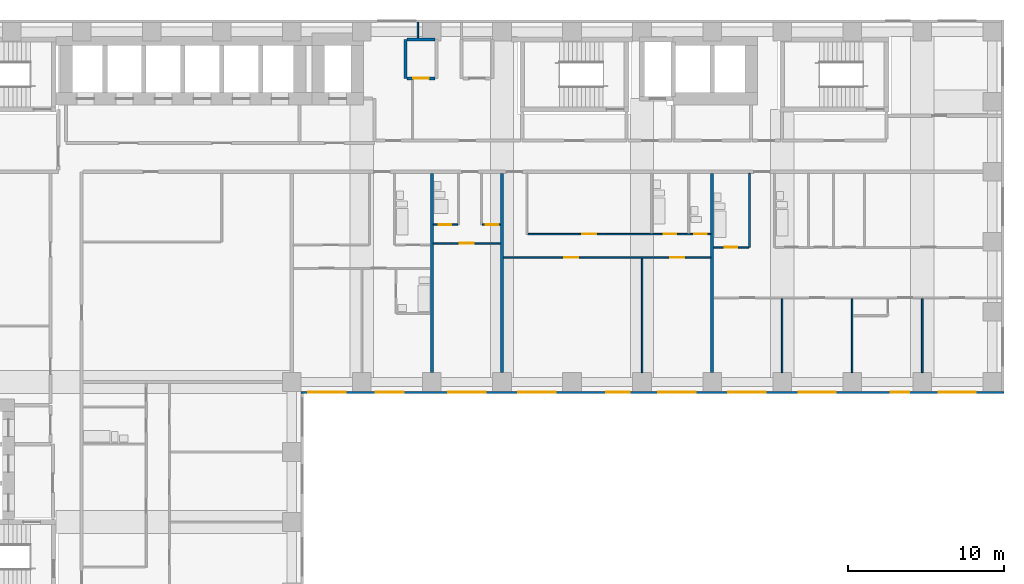
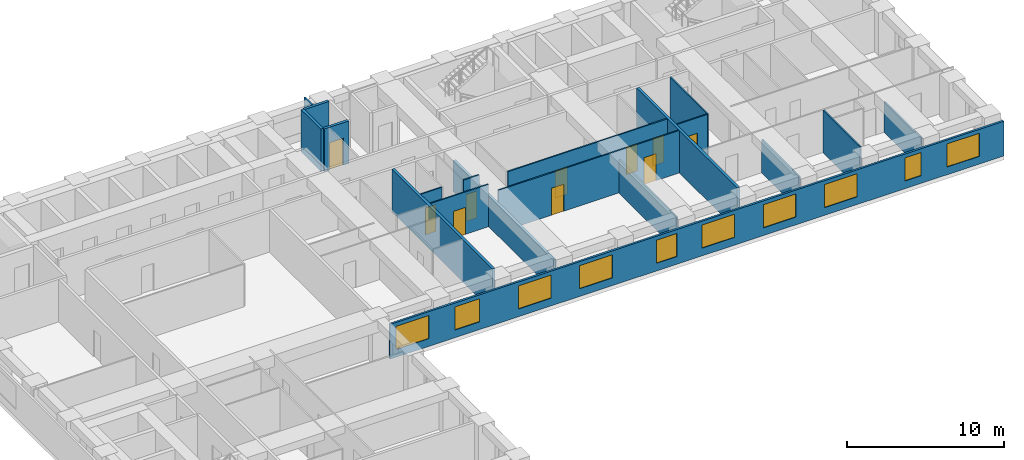
# One storey, part 6 of 11: 19 walls, 10 doors, 10 windows, 20 openings.
"""IFC4 building model written with IfcOpenShell, lengths in metres."""

from ifc_helpers import new_model, si_unit, direction, frame, frame_2d, origin, place, context, subcontext, project, spatial, rectangle, extrude, material, layer, layer_set, type_object, element, fill, save


model = new_model("IFC4")

# Units and contexts
model_context = context("Model", 3, precision=1e-05, world=origin(), true_north=direction((0.0, 1.0)))
body_context = subcontext(model_context, "Body", "Model", "MODEL_VIEW")
ifc_project = project(units=[si_unit("LENGTHUNIT", "METRE"), si_unit("AREAUNIT", "SQUARE_METRE"), si_unit("VOLUMEUNIT", "CUBIC_METRE"), si_unit("PLANEANGLEUNIT", "RADIAN"), si_unit("MASSUNIT", "GRAM", prefix="KILO")], contexts=[model_context])

# Site, building, storey
site_placement = place(None, origin())
site = spatial("IfcSite", under=ifc_project, at=site_placement, CompositionType="ELEMENT")
building_placement = place(site_placement, origin())
building = spatial("IfcBuilding", under=site, at=building_placement, Name="Firuza Court", CompositionType="ELEMENT")
storey_placement = place(building_placement, frame((0.0, 0.0, 79.39990234375)))
storey = spatial("IfcBuildingStorey", under=building, at=storey_placement, Name="L19", CompositionType="ELEMENT", Elevation=79.39990234375)

# Walls
ifc_material_1 = material(Name="Moisture-resistant gypsum board partition")
ifc_layer_1 = layer(ifc_material_1, 0.10009765625)
ifc_layer_set_1 = layer_set([ifc_layer_1], Name="Moisture-resistant gypsum board partition")
wall_type_1 = type_object("IfcWallType", Name="Bathroom partition 100", PredefinedType="PLUMBINGWALL", material=ifc_layer_set_1)
wall_1_placement = place(storey_placement, frame((51.89990234375, 44.64990234375, 0.0), z_axis=(0.0, 0.0, 1.0), x_axis=(0.0, 1.0, 0.0)))
element("IfcWall", 1, at=wall_1_placement, inside=storey, type_object=wall_type_1, Name="Bathroom partition 100 L19", PredefinedType="PLUMBINGWALL", context=body_context, shape_type="SweptSolid", body=[
    extrude(rectangle(XDim=4.75, YDim=0.10009765625, at=frame_2d((2.375, 0.0))), origin(), (0.0, 0.0, 1.0), 3.300048828125),
])
ifc_material_2 = material(Name="Timber stud partition, plasterboard both sides", Category="wood")
ifc_layer_2 = layer(ifc_material_2, 0.10009765625)
ifc_layer_set_2 = layer_set([ifc_layer_2], Name="Timber stud partition, plasterboard both sides")
wall_type_2 = type_object("IfcWallType", Name="Partition wall 100", PredefinedType="PARTITIONING", material=ifc_layer_set_2)
wall_2_placement = place(storey_placement, frame((45.0, 36.60009765625, 0.0), z_axis=(0.0, 0.0, 1.0), x_axis=(0.0, 1.0, 0.0)))
element("IfcWall", 2, at=wall_2_placement, inside=storey, type_object=wall_type_2, Name="Partition wall 100 L19", PredefinedType="PARTITIONING", context=body_context, shape_type="SweptSolid", body=[
    extrude(rectangle(XDim=7.349853515625, YDim=0.10009765625, at=frame_2d((3.6748046875, 0.0))), origin(), (0.0, 0.0, 1.0), 2.60009765625),
])
wall_3_placement = place(storey_placement, frame((54.0, 36.60009765625, 0.0), z_axis=(0.0, 0.0, 1.0), x_axis=(0.0, 1.0, 0.0)))
element("IfcWall", 3, at=wall_3_placement, inside=storey, type_object=wall_type_2, Name="Partition wall 100 L19", PredefinedType="PARTITIONING", context=body_context, shape_type="SweptSolid", body=[
    extrude(rectangle(XDim=4.75, YDim=0.10009765625, at=frame_2d((2.375, 0.0))), origin(), (0.0, 0.0, 1.0), 2.60009765625),
])
wall_4_placement = place(storey_placement, frame((58.5, 36.60009765625, 0.0), z_axis=(0.0, 0.0, 1.0), x_axis=(0.0, 1.0, 0.0)))
element("IfcWall", 4, at=wall_4_placement, inside=storey, type_object=wall_type_2, Name="Partition wall 100 L19", PredefinedType="PARTITIONING", context=body_context, shape_type="SweptSolid", body=[
    extrude(rectangle(XDim=4.75, YDim=0.10009765625, at=frame_2d((2.375, 0.0))), origin(), (0.0, 0.0, 1.0), 3.300048828125),
])
wall_5_placement = place(storey_placement, frame((63.0, 36.60009765625, 0.0), z_axis=(0.0, 0.0, 1.0), x_axis=(0.0, 1.0, 0.0)))
element("IfcWall", 5, at=wall_5_placement, inside=storey, type_object=wall_type_2, Name="Partition wall 100 L19", PredefinedType="PARTITIONING", context=body_context, shape_type="SweptSolid", body=[
    extrude(rectangle(XDim=4.75, YDim=0.10009765625, at=frame_2d((2.375, 0.0))), origin(), (0.0, 0.0, 1.0), 2.400146484375),
])

# Wall, openings, doors
wall_6_placement = place(storey_placement, frame((36.10009765625, 44.0, 0.0), z_axis=(0.0, 0.0, 1.0), x_axis=(1.0, 0.0, 0.0)))
wall_6 = element("IfcWall", 6, at=wall_6_placement, inside=storey, type_object=wall_type_2, Name="Partition wall 100 L19", PredefinedType="PARTITIONING", context=body_context, shape_type="SweptSolid", body=[
    extrude(rectangle(XDim=13.2998046875, YDim=0.10009765625, at=frame_2d((6.64990234375, 0.0))), origin(), (0.0, 0.0, 1.0), 3.300048828125),
])
opening_1_placement = place(wall_6_placement, frame((3.89990234375, 0.0, 0.0)))
opening_1 = element("IfcOpeningElement", 7, at=opening_1_placement, cuts=wall_6, Name="Opening D19051", PredefinedType="OPENING", context=body_context, shape_type="SweptSolid", body=[
    extrude(rectangle(XDim=0.89990234375, YDim=2.10009765625, at=frame_2d((0.449951171875, 1.050048828125))), frame((0.0, 0.06201171875, 0.0), z_axis=(0.0, -1.0, 0.0), x_axis=(1.0, 0.0, 0.0)), (0.0, 0.0, 1.0), 0.1240234375),
])
opening_2_placement = place(wall_6_placement, frame((10.699951171875, 0.0, 0.0)))
opening_2 = element("IfcOpeningElement", 8, at=opening_2_placement, cuts=wall_6, Name="Opening D19052", PredefinedType="OPENING", context=body_context, shape_type="SweptSolid", body=[
    extrude(rectangle(XDim=0.89990234375, YDim=2.10009765625, at=frame_2d((0.449951171875, 1.050048828125))), frame((0.0, 0.06201171875, 0.0), z_axis=(0.0, -1.0, 0.0), x_axis=(1.0, 0.0, 0.0)), (0.0, 0.0, 1.0), 0.1240234375),
])
ifc_material_3 = material(Name="Timber door leaf in hardwood frame", Category="wood")
door_type_1 = type_object("IfcDoorType", Name="Room door 900", OperationType="SINGLE_SWING_LEFT", PredefinedType="DOOR", material=ifc_material_3)
door_1_placement = place(opening_1_placement, frame((0.89990234375, 0.0, 0.0), z_axis=(0.0, 0.0, 1.0), x_axis=(-1.0, 0.0, 0.0)))
door_1 = element("IfcDoor", 9, at=door_1_placement, inside=storey, type_object=door_type_1, Name="Living room door", OperationType="SINGLE_SWING_RIGHT", OverallHeight=2.10009765625, OverallWidth=0.89990234375, PredefinedType="DOOR", context=body_context, shape_type="SweptSolid", body=[
    extrude(rectangle(XDim=0.89990234375, YDim=2.10009765625, at=frame_2d((0.449951171875, 1.050048828125))), frame((0.0, 0.02490234375, 0.0), z_axis=(0.0, -1.0, 0.0), x_axis=(1.0, 0.0, 0.0)), (0.0, 0.0, 1.0), 0.050048828125),
])
fill(opening_1, door_1)
door_2_placement = place(opening_2_placement, frame((0.89990234375, 0.0, 0.0), z_axis=(0.0, 0.0, 1.0), x_axis=(-1.0, 0.0, 0.0)))
door_2 = element("IfcDoor", 10, at=door_2_placement, inside=storey, type_object=door_type_1, Name="Bedroom door", OperationType="SINGLE_SWING_RIGHT", OverallHeight=2.10009765625, OverallWidth=0.89990234375, PredefinedType="DOOR", context=body_context, shape_type="SweptSolid", body=[
    extrude(rectangle(XDim=0.89990234375, YDim=2.10009765625, at=frame_2d((0.449951171875, 1.050048828125))), frame((0.0, 0.02490234375, 0.0), z_axis=(0.0, -1.0, 0.0), x_axis=(1.0, 0.0, 0.0)), (0.0, 0.0, 1.0), 0.050048828125),
])
fill(opening_2, door_2)

# Wall, opening, door
wall_7_placement = place(storey_placement, frame((49.60009765625, 44.64990234375, 0.0), z_axis=(0.0, 0.0, 1.0), x_axis=(1.0, 0.0, 0.0)))
wall_7 = element("IfcWall", 11, at=wall_7_placement, inside=storey, type_object=wall_type_2, Name="Partition wall 100 L19", PredefinedType="PARTITIONING", context=body_context, shape_type="SweptSolid", body=[
    extrude(rectangle(XDim=2.25, YDim=0.10009765625, at=frame_2d((1.125, 0.0))), origin(), (0.0, 0.0, 1.0), 3.300048828125),
])
opening_3_placement = place(wall_7_placement, frame((0.699951171875, 0.0, 0.0)))
opening_3 = element("IfcOpeningElement", 12, at=opening_3_placement, cuts=wall_7, Name="Opening D19053", PredefinedType="OPENING", context=body_context, shape_type="SweptSolid", body=[
    extrude(rectangle(XDim=0.800048828125, YDim=2.10009765625, at=frame_2d((0.39990234375, 1.050048828125))), frame((0.0, 0.06201171875, 0.0), z_axis=(0.0, -1.0, 0.0), x_axis=(1.0, 0.0, 0.0)), (0.0, 0.0, 1.0), 0.1240234375),
])
ifc_material_4 = material(Name="Timber door leaf in hardwood frame", Category="wood")
door_type_2 = type_object("IfcDoorType", Name="Bathroom door 800", OperationType="SINGLE_SWING_LEFT", PredefinedType="DOOR", material=ifc_material_4)
door_3_placement = place(opening_3_placement, origin())
door_3 = element("IfcDoor", 13, at=door_3_placement, inside=storey, type_object=door_type_2, Name="Bathroom door", OperationType="SINGLE_SWING_LEFT", OverallHeight=2.10009765625, OverallWidth=0.800048828125, PredefinedType="DOOR", context=body_context, shape_type="SweptSolid", body=[
    extrude(rectangle(XDim=0.800048828125, YDim=2.10009765625, at=frame_2d((0.39990234375, 1.050048828125))), frame((0.0, 0.02490234375, 0.0), z_axis=(0.0, -1.0, 0.0), x_axis=(1.0, 0.0, 0.0)), (0.0, 0.0, 1.0), 0.050048828125),
])
fill(opening_3, door_3)

wall_8_placement = place(storey_placement, frame((31.60009765625, 44.89990234375, 0.0), z_axis=(0.0, 0.0, 1.0), x_axis=(1.0, 0.0, 0.0)))
wall_8 = element("IfcWall", 14, at=wall_8_placement, inside=storey, type_object=wall_type_2, Name="Partition wall 100 L19", PredefinedType="PARTITIONING", context=body_context, shape_type="SweptSolid", body=[
    extrude(rectangle(XDim=4.2998046875, YDim=0.10009765625, at=frame_2d((2.14990234375, 0.0))), origin(), (0.0, 0.0, 1.0), 3.300048828125),
])
opening_4_placement = place(wall_8_placement, frame((1.699951171875, 0.0, 0.0)))
opening_4 = element("IfcOpeningElement", 15, at=opening_4_placement, cuts=wall_8, Name="Opening D19060", PredefinedType="OPENING", context=body_context, shape_type="SweptSolid", body=[
    extrude(rectangle(XDim=0.89990234375, YDim=2.10009765625, at=frame_2d((0.449951171875, 1.050048828125))), frame((0.0, 0.06201171875, 0.0), z_axis=(0.0, -1.0, 0.0), x_axis=(1.0, 0.0, 0.0)), (0.0, 0.0, 1.0), 0.1240234375),
])
door_4_placement = place(opening_4_placement, frame((0.89990234375, 0.0, 0.0), z_axis=(0.0, 0.0, 1.0), x_axis=(-1.0, 0.0, 0.0)))
door_4 = element("IfcDoor", 16, at=door_4_placement, inside=storey, type_object=door_type_1, Name="Studio room door", OperationType="SINGLE_SWING_RIGHT", OverallHeight=2.10009765625, OverallWidth=0.89990234375, PredefinedType="DOOR", context=body_context, shape_type="SweptSolid", body=[
    extrude(rectangle(XDim=0.89990234375, YDim=2.10009765625, at=frame_2d((0.449951171875, 1.050048828125))), frame((0.0, 0.02490234375, 0.0), z_axis=(0.0, -1.0, 0.0), x_axis=(1.0, 0.0, 0.0)), (0.0, 0.0, 1.0), 0.050048828125),
])
fill(opening_4, door_4)

# Wall, openings, doors
wall_9_placement = place(storey_placement, frame((37.64990234375, 45.5, 0.0), z_axis=(0.0, 0.0, 1.0), x_axis=(1.0, 0.0, 0.0)))
wall_9 = element("IfcWall", 17, at=wall_9_placement, inside=storey, type_object=wall_type_2, Name="Partition wall 100 L19", PredefinedType="PARTITIONING", context=body_context, shape_type="SweptSolid", body=[
    extrude(rectangle(XDim=11.75, YDim=0.10009765625, at=frame_2d((5.875, 0.0))), origin(), (0.0, 0.0, 1.0), 3.300048828125),
])
opening_5_placement = place(wall_9_placement, frame((8.75, 0.0, 0.0)))
opening_5 = element("IfcOpeningElement", 18, at=opening_5_placement, cuts=wall_9, Name="Opening D19061", PredefinedType="OPENING", context=body_context, shape_type="SweptSolid", body=[
    extrude(rectangle(XDim=0.800048828125, YDim=2.10009765625, at=frame_2d((0.39990234375, 1.050048828125))), frame((0.0, 0.06201171875, 0.0), z_axis=(0.0, -1.0, 0.0), x_axis=(1.0, 0.0, 0.0)), (0.0, 0.0, 1.0), 0.1240234375),
])
opening_6_placement = place(wall_9_placement, frame((3.5, 0.0, 0.0)))
opening_6 = element("IfcOpeningElement", 19, at=opening_6_placement, cuts=wall_9, Name="Opening D19062", PredefinedType="OPENING", context=body_context, shape_type="SweptSolid", body=[
    extrude(rectangle(XDim=0.89990234375, YDim=2.10009765625, at=frame_2d((0.449951171875, 1.050048828125))), frame((0.0, 0.06201171875, 0.0), z_axis=(0.0, -1.0, 0.0), x_axis=(1.0, 0.0, 0.0)), (0.0, 0.0, 1.0), 0.1240234375),
])
opening_7_placement = place(wall_9_placement, frame((10.699951171875, 0.0, 0.0)))
opening_7 = element("IfcOpeningElement", 20, at=opening_7_placement, cuts=wall_9, Name="Opening D19063", PredefinedType="OPENING", context=body_context, shape_type="SweptSolid", body=[
    extrude(rectangle(XDim=0.800048828125, YDim=2.10009765625, at=frame_2d((0.39990234375, 1.050048828125))), frame((0.0, 0.06201171875, 0.0), z_axis=(0.0, -1.0, 0.0), x_axis=(1.0, 0.0, 0.0)), (0.0, 0.0, 1.0), 0.1240234375),
])
door_5_placement = place(opening_5_placement, origin())
door_5 = element("IfcDoor", 21, at=door_5_placement, inside=storey, type_object=door_type_2, Name="Bathroom door", OperationType="SINGLE_SWING_LEFT", OverallHeight=2.10009765625, OverallWidth=0.800048828125, PredefinedType="DOOR", context=body_context, shape_type="SweptSolid", body=[
    extrude(rectangle(XDim=0.800048828125, YDim=2.10009765625, at=frame_2d((0.39990234375, 1.050048828125))), frame((0.0, 0.02490234375, 0.0), z_axis=(0.0, -1.0, 0.0), x_axis=(1.0, 0.0, 0.0)), (0.0, 0.0, 1.0), 0.050048828125),
])
fill(opening_5, door_5)
door_6_placement = place(opening_7_placement, origin())
door_6 = element("IfcDoor", 22, at=door_6_placement, inside=storey, type_object=door_type_2, Name="Powder room door", OperationType="SINGLE_SWING_LEFT", OverallHeight=2.10009765625, OverallWidth=0.800048828125, PredefinedType="DOOR", context=body_context, shape_type="SweptSolid", body=[
    extrude(rectangle(XDim=0.800048828125, YDim=2.10009765625, at=frame_2d((0.39990234375, 1.050048828125))), frame((0.0, 0.02490234375, 0.0), z_axis=(0.0, -1.0, 0.0), x_axis=(1.0, 0.0, 0.0)), (0.0, 0.0, 1.0), 0.050048828125),
])
fill(opening_7, door_6)
door_7_placement = place(opening_6_placement, origin())
door_7 = element("IfcDoor", 23, at=door_7_placement, inside=storey, type_object=door_type_1, Name="Kitchen door", OperationType="SINGLE_SWING_LEFT", OverallHeight=2.10009765625, OverallWidth=0.89990234375, PredefinedType="DOOR", context=body_context, shape_type="SweptSolid", body=[
    extrude(rectangle(XDim=0.89990234375, YDim=2.10009765625, at=frame_2d((0.449951171875, 1.050048828125))), frame((0.0, 0.02490234375, 0.0), z_axis=(0.0, -1.0, 0.0), x_axis=(1.0, 0.0, 0.0)), (0.0, 0.0, 1.0), 0.050048828125),
])
fill(opening_6, door_7)

# Wall, opening, door
wall_10_placement = place(storey_placement, frame((31.60009765625, 46.10009765625, 0.0), z_axis=(0.0, 0.0, 1.0), x_axis=(1.0, 0.0, 0.0)))
wall_10 = element("IfcWall", 24, at=wall_10_placement, inside=storey, type_object=wall_type_2, Name="Partition wall 100 L19", PredefinedType="PARTITIONING", context=body_context, shape_type="SweptSolid", body=[
    extrude(rectangle(XDim=1.5498046875, YDim=0.10009765625, at=frame_2d((0.77490234375, 0.0))), origin(), (0.0, 0.0, 1.0), 3.300048828125),
])
opening_8_placement = place(wall_10_placement, frame((0.35009765625, 0.0, 0.0)))
opening_8 = element("IfcOpeningElement", 25, at=opening_8_placement, cuts=wall_10, Name="Opening D19064", PredefinedType="OPENING", context=body_context, shape_type="SweptSolid", body=[
    extrude(rectangle(XDim=0.800048828125, YDim=2.10009765625, at=frame_2d((0.39990234375, 1.050048828125))), frame((0.0, 0.06201171875, 0.0), z_axis=(0.0, -1.0, 0.0), x_axis=(1.0, 0.0, 0.0)), (0.0, 0.0, 1.0), 0.1240234375),
])
door_8_placement = place(opening_8_placement, origin())
door_8 = element("IfcDoor", 26, at=door_8_placement, inside=storey, type_object=door_type_2, Name="Bathroom door", OperationType="SINGLE_SWING_LEFT", OverallHeight=2.10009765625, OverallWidth=0.800048828125, PredefinedType="DOOR", context=body_context, shape_type="SweptSolid", body=[
    extrude(rectangle(XDim=0.800048828125, YDim=2.10009765625, at=frame_2d((0.39990234375, 1.050048828125))), frame((0.0, 0.02490234375, 0.0), z_axis=(0.0, -1.0, 0.0), x_axis=(1.0, 0.0, 0.0)), (0.0, 0.0, 1.0), 0.050048828125),
])
fill(opening_8, door_8)

wall_11_placement = place(storey_placement, frame((34.75, 46.10009765625, 0.0), z_axis=(0.0, 0.0, 1.0), x_axis=(1.0, 0.0, 0.0)))
wall_11 = element("IfcWall", 27, at=wall_11_placement, inside=storey, type_object=wall_type_2, Name="Partition wall 100 L19", PredefinedType="PARTITIONING", context=body_context, shape_type="SweptSolid", body=[
    extrude(rectangle(XDim=1.14990234375, YDim=0.10009765625, at=frame_2d((0.574951171875, 0.0))), origin(), (0.0, 0.0, 1.0), 3.300048828125),
])
opening_9_placement = place(wall_11_placement, frame((0.199951171875, 0.0, 0.0)))
opening_9 = element("IfcOpeningElement", 28, at=opening_9_placement, cuts=wall_11, Name="Opening D19065", PredefinedType="OPENING", context=body_context, shape_type="SweptSolid", body=[
    extrude(rectangle(XDim=0.800048828125, YDim=2.10009765625, at=frame_2d((0.39990234375, 1.050048828125))), frame((0.0, 0.06201171875, 0.0), z_axis=(0.0, -1.0, 0.0), x_axis=(1.0, 0.0, 0.0)), (0.0, 0.0, 1.0), 0.1240234375),
])
ifc_material_5 = material(Name="Timber door leaf in hardwood frame", Category="wood")
door_type_3 = type_object("IfcDoorType", Name="Room door 800", OperationType="SINGLE_SWING_LEFT", PredefinedType="DOOR", material=ifc_material_5)
door_9_placement = place(opening_9_placement, origin())
door_9 = element("IfcDoor", 29, at=door_9_placement, inside=storey, type_object=door_type_3, Name="Kitchen door", OperationType="SINGLE_SWING_LEFT", OverallHeight=2.10009765625, OverallWidth=0.800048828125, PredefinedType="DOOR", context=body_context, shape_type="SweptSolid", body=[
    extrude(rectangle(XDim=0.800048828125, YDim=2.10009765625, at=frame_2d((0.39990234375, 1.050048828125))), frame((0.0, 0.02490234375, 0.0), z_axis=(0.0, -1.0, 0.0), x_axis=(1.0, 0.0, 0.0)), (0.0, 0.0, 1.0), 0.050048828125),
])
fill(opening_9, door_9)

# Walls
wall_12_placement = place(storey_placement, frame((30.60009765625, 58.10009765625, 0.0), z_axis=(0.0, 0.0, 1.0), x_axis=(0.0, 1.0, 0.0)))
element("IfcWall", 30, at=wall_12_placement, inside=storey, type_object=wall_type_2, Name="Partition wall 100 L19", PredefinedType="PARTITIONING", context=body_context, shape_type="SweptSolid", body=[
    extrude(rectangle(XDim=1.0, YDim=0.10009765625, at=frame_2d((0.5, 0.0))), origin(), (0.0, 0.0, 1.0), 3.300048828125),
])
ifc_material_6 = material(Name="Blockwork, plastered both sides", Category="masonry")
ifc_layer_3 = layer(ifc_material_6, 0.199951171875)
ifc_layer_set_3 = layer_set([ifc_layer_3], Name="Blockwork, plastered both sides")
wall_type_3 = type_object("IfcWallType", Name="Party wall 200", PredefinedType="PARTITIONING", material=ifc_layer_set_3)
wall_13_placement = place(storey_placement, frame((31.5, 36.60009765625, 0.0), z_axis=(0.0, 0.0, 1.0), x_axis=(0.0, 1.0, 0.0)))
element("IfcWall", 31, at=wall_13_placement, inside=storey, type_object=wall_type_3, Name="Party wall 200 L19", PredefinedType="PARTITIONING", context=body_context, shape_type="SweptSolid", body=[
    extrude(rectangle(XDim=12.7998046875, YDim=0.199951171875, at=frame_2d((6.39990234375, 0.0))), origin(), (0.0, 0.0, 1.0), 3.300048828125),
])
wall_14_placement = place(storey_placement, frame((36.0, 36.60009765625, 0.0), z_axis=(0.0, 0.0, 1.0), x_axis=(0.0, 1.0, 0.0)))
element("IfcWall", 32, at=wall_14_placement, inside=storey, type_object=wall_type_3, Name="Party wall 200 L19", PredefinedType="PARTITIONING", context=body_context, shape_type="SweptSolid", body=[
    extrude(rectangle(XDim=12.7998046875, YDim=0.199951171875, at=frame_2d((6.39990234375, 0.0))), origin(), (0.0, 0.0, 1.0), 2.400146484375),
])
wall_15_placement = place(storey_placement, frame((49.5, 36.60009765625, 0.0), z_axis=(0.0, 0.0, 1.0), x_axis=(0.0, 1.0, 0.0)))
element("IfcWall", 33, at=wall_15_placement, inside=storey, type_object=wall_type_3, Name="Party wall 200 L19", PredefinedType="PARTITIONING", context=body_context, shape_type="SweptSolid", body=[
    extrude(rectangle(XDim=12.7998046875, YDim=0.199951171875, at=frame_2d((6.39990234375, 0.0))), origin(), (0.0, 0.0, 1.0), 3.300048828125),
])
ifc_material_7 = material(Name="Blockwork, fire-rated", Category="masonry")
ifc_layer_4 = layer(ifc_material_7, 0.199951171875)
ifc_layer_set_4 = layer_set([ifc_layer_4], Name="Blockwork, fire-rated")
wall_type_4 = type_object("IfcWallType", Name="Plant room wall 200", PredefinedType="PARTITIONING", material=ifc_layer_set_4)
wall_16_placement = place(storey_placement, frame((29.800048828125, 55.5, 0.0), z_axis=(0.0, 0.0, 1.0), x_axis=(0.0, 1.0, 0.0)))
element("IfcWall", 34, at=wall_16_placement, inside=storey, type_object=wall_type_4, Name="Plant room wall 200 L19", PredefinedType="PARTITIONING", context=body_context, shape_type="SweptSolid", body=[
    extrude(rectangle(XDim=2.5, YDim=0.199951171875, at=frame_2d((1.25, 0.0))), origin(), (0.0, 0.0, 1.0), 3.300048828125),
])

# Wall, opening, door
wall_17_placement = place(storey_placement, frame((29.89990234375, 55.5, 0.0), z_axis=(0.0, 0.0, 1.0), x_axis=(1.0, 0.0, 0.0)))
wall_17 = element("IfcWall", 35, at=wall_17_placement, inside=storey, type_object=wall_type_4, Name="Plant room wall 200 L19", PredefinedType="PARTITIONING", context=body_context, shape_type="SweptSolid", body=[
    extrude(rectangle(XDim=1.800048828125, YDim=0.199951171875, at=frame_2d((0.89990234375, 0.0))), origin(), (0.0, 0.0, 1.0), 3.300048828125),
])
opening_10_placement = place(wall_17_placement, frame((0.39990234375, 0.0, 0.0)))
opening_10 = element("IfcOpeningElement", 36, at=opening_10_placement, cuts=wall_17, Name="Opening D19076", PredefinedType="OPENING", context=body_context, shape_type="SweptSolid", body=[
    extrude(rectangle(XDim=1.0, YDim=2.10009765625, at=frame_2d((0.5, 1.050048828125))), frame((0.0, 0.11181640625, 0.0), z_axis=(0.0, -1.0, 0.0), x_axis=(1.0, 0.0, 0.0)), (0.0, 0.0, 1.0), 0.223876953125),
])
ifc_material_8 = material(Name="Timber door leaf in hardwood frame", Category="wood")
door_type_4 = type_object("IfcDoorType", Name="Riser door 1000", OperationType="SINGLE_SWING_LEFT", PredefinedType="DOOR", material=ifc_material_8)
door_10_placement = place(opening_10_placement, origin())
door_10 = element("IfcDoor", 37, at=door_10_placement, inside=storey, type_object=door_type_4, Name="Electrical riser door", OperationType="SINGLE_SWING_LEFT", OverallHeight=2.10009765625, OverallWidth=1.0, PredefinedType="DOOR", context=body_context, shape_type="SweptSolid", body=[
    extrude(rectangle(XDim=1.0, YDim=2.10009765625, at=frame_2d((0.5, 1.050048828125))), frame((0.0, 0.02490234375, 0.0), z_axis=(0.0, -1.0, 0.0), x_axis=(1.0, 0.0, 0.0)), (0.0, 0.0, 1.0), 0.050048828125),
])
fill(opening_10, door_10)

# Wall
wall_18_placement = place(storey_placement, frame((29.89990234375, 58.0, 0.0), z_axis=(0.0, 0.0, 1.0), x_axis=(1.0, 0.0, 0.0)))
element("IfcWall", 38, at=wall_18_placement, inside=storey, type_object=wall_type_4, Name="Plant room wall 200 L19", PredefinedType="PARTITIONING", context=body_context, shape_type="SweptSolid", body=[
    extrude(rectangle(XDim=1.800048828125, YDim=0.199951171875, at=frame_2d((0.89990234375, 0.0))), origin(), (0.0, 0.0, 1.0), 3.300048828125),
])

# Wall, openings, windows
ifc_material_9 = material(Name="Ceramic tile", Category="ceramic")
ifc_layer_5 = layer(ifc_material_9, 0.02001953125)
ifc_material_10 = material(Name="Mineral wool insulation", Category="insulation")
ifc_layer_6 = layer(ifc_material_10, 0.050048828125)
ifc_material_11 = material(Name="Concrete C40/50 precast", Category="concrete")
ifc_layer_7 = layer(ifc_material_11, 0.080078125)
ifc_layer_set_5 = layer_set([ifc_layer_5, ifc_layer_6, ifc_layer_7], Name="Concrete C40/50 precast")
wall_type_5 = type_object("IfcWallType", Name="Precast cladding wall with turquoise TILE PANEL face 150", PredefinedType="STANDARD", material=ifc_layer_set_5)
wall_19_placement = place(storey_placement, frame((23.10009765625, 35.324951171875, 0.0), z_axis=(0.0, 0.0, 1.0), x_axis=(1.0, 0.0, 0.0)))
wall_19 = element("IfcWall", 39, at=wall_19_placement, inside=storey, type_object=wall_type_5, Name="Facade wall L19 S", PredefinedType="STANDARD", context=body_context, shape_type="SweptSolid", body=[
    extrude(rectangle(XDim=45.14990234375, YDim=0.14990234375, at=frame_2d((22.574951171875, 0.0))), origin(), (0.0, 0.0, 1.0), 2.7001953125),
])
opening_11_placement = place(wall_19_placement, frame((0.449951171875, 0.0, 0.60009765625)))
opening_11 = element("IfcOpeningElement", 40, at=opening_11_placement, cuts=wall_19, Name="Opening W1", PredefinedType="OPENING", context=body_context, shape_type="SweptSolid", body=[
    extrude(rectangle(XDim=2.39990234375, YDim=1.800048828125, at=frame_2d((1.199951171875, 0.89990234375))), frame((0.0, 0.0869140625, 0.0), z_axis=(0.0, -1.0, 0.0), x_axis=(1.0, 0.0, 0.0)), (0.0, 0.0, 1.0), 0.173828125),
])
opening_12_placement = place(wall_19_placement, frame((4.79345703125, 0.0, 0.60009765625)))
opening_12 = element("IfcOpeningElement", 41, at=opening_12_placement, cuts=wall_19, Name="Opening W7", PredefinedType="OPENING", context=body_context, shape_type="SweptSolid", body=[
    extrude(rectangle(XDim=1.800048828125, YDim=1.800048828125, at=frame_2d((0.89990234375, 0.89990234375))), frame((0.0, 0.0869140625, 0.0), z_axis=(0.0, -1.0, 0.0), x_axis=(1.0, 0.0, 0.0)), (0.0, 0.0, 1.0), 0.173828125),
])
opening_13_placement = place(wall_19_placement, frame((9.449951171875, 0.0, 0.60009765625)))
opening_13 = element("IfcOpeningElement", 42, at=opening_13_placement, cuts=wall_19, Name="Opening W1", PredefinedType="OPENING", context=body_context, shape_type="SweptSolid", body=[
    extrude(rectangle(XDim=2.39990234375, YDim=1.800048828125, at=frame_2d((1.199951171875, 0.89990234375))), frame((0.0, 0.0869140625, 0.0), z_axis=(0.0, -1.0, 0.0), x_axis=(1.0, 0.0, 0.0)), (0.0, 0.0, 1.0), 0.173828125),
])
opening_14_placement = place(wall_19_placement, frame((13.949951171875, 0.0, 0.60009765625)))
opening_14 = element("IfcOpeningElement", 43, at=opening_14_placement, cuts=wall_19, Name="Opening W1", PredefinedType="OPENING", context=body_context, shape_type="SweptSolid", body=[
    extrude(rectangle(XDim=2.39990234375, YDim=1.800048828125, at=frame_2d((1.199951171875, 0.89990234375))), frame((0.0, 0.0869140625, 0.0), z_axis=(0.0, -1.0, 0.0), x_axis=(1.0, 0.0, 0.0)), (0.0, 0.0, 1.0), 0.173828125),
])
opening_15_placement = place(wall_19_placement, frame((19.5966796875, 0.0, 0.60009765625)))
opening_15 = element("IfcOpeningElement", 44, at=opening_15_placement, cuts=wall_19, Name="Opening W2", PredefinedType="OPENING", context=body_context, shape_type="SweptSolid", body=[
    extrude(rectangle(XDim=1.5, YDim=1.800048828125, at=frame_2d((0.75, 0.89990234375))), frame((0.0, 0.0869140625, 0.0), z_axis=(0.0, -1.0, 0.0), x_axis=(1.0, 0.0, 0.0)), (0.0, 0.0, 1.0), 0.173828125),
])
opening_16_placement = place(wall_19_placement, frame((22.949951171875, 0.0, 0.60009765625)))
opening_16 = element("IfcOpeningElement", 45, at=opening_16_placement, cuts=wall_19, Name="Opening W1", PredefinedType="OPENING", context=body_context, shape_type="SweptSolid", body=[
    extrude(rectangle(XDim=2.39990234375, YDim=1.800048828125, at=frame_2d((1.199951171875, 0.89990234375))), frame((0.0, 0.0869140625, 0.0), z_axis=(0.0, -1.0, 0.0), x_axis=(1.0, 0.0, 0.0)), (0.0, 0.0, 1.0), 0.173828125),
])
opening_17_placement = place(wall_19_placement, frame((27.449951171875, 0.0, 0.60009765625)))
opening_17 = element("IfcOpeningElement", 46, at=opening_17_placement, cuts=wall_19, Name="Opening W1", PredefinedType="OPENING", context=body_context, shape_type="SweptSolid", body=[
    extrude(rectangle(XDim=2.39990234375, YDim=1.800048828125, at=frame_2d((1.199951171875, 0.89990234375))), frame((0.0, 0.0869140625, 0.0), z_axis=(0.0, -1.0, 0.0), x_axis=(1.0, 0.0, 0.0)), (0.0, 0.0, 1.0), 0.173828125),
])
opening_18_placement = place(wall_19_placement, frame((31.949951171875, 0.0, 0.60009765625)))
opening_18 = element("IfcOpeningElement", 47, at=opening_18_placement, cuts=wall_19, Name="Opening W1", PredefinedType="OPENING", context=body_context, shape_type="SweptSolid", body=[
    extrude(rectangle(XDim=2.39990234375, YDim=1.800048828125, at=frame_2d((1.199951171875, 0.89990234375))), frame((0.0, 0.0869140625, 0.0), z_axis=(0.0, -1.0, 0.0), x_axis=(1.0, 0.0, 0.0)), (0.0, 0.0, 1.0), 0.173828125),
])
opening_19_placement = place(wall_19_placement, frame((37.861083984375, 0.0, 0.60009765625)))
opening_19 = element("IfcOpeningElement", 48, at=opening_19_placement, cuts=wall_19, Name="Opening W8", PredefinedType="OPENING", context=body_context, shape_type="SweptSolid", body=[
    extrude(rectangle(XDim=1.199951171875, YDim=1.800048828125, at=frame_2d((0.60009765625, 0.89990234375))), frame((0.0, 0.0869140625, 0.0), z_axis=(0.0, -1.0, 0.0), x_axis=(1.0, 0.0, 0.0)), (0.0, 0.0, 1.0), 0.173828125),
])
opening_20_placement = place(wall_19_placement, frame((40.949951171875, 0.0, 0.60009765625)))
opening_20 = element("IfcOpeningElement", 49, at=opening_20_placement, cuts=wall_19, Name="Opening W1", PredefinedType="OPENING", context=body_context, shape_type="SweptSolid", body=[
    extrude(rectangle(XDim=2.39990234375, YDim=1.800048828125, at=frame_2d((1.199951171875, 0.89990234375))), frame((0.0, 0.0869140625, 0.0), z_axis=(0.0, -1.0, 0.0), x_axis=(1.0, 0.0, 0.0)), (0.0, 0.0, 1.0), 0.173828125),
])
ifc_material_12 = material(Name="Aluminium frame, triple clear glazing", Category="aluminium")
window_type_1 = type_object("IfcWindowType", Name="Window W1 2400 x 1800", PartitioningType="SINGLE_PANEL", PredefinedType="WINDOW", material=ifc_material_12)
window_1_placement = place(opening_11_placement, origin())
window_1 = element("IfcWindow", 50, at=window_1_placement, inside=storey, type_object=window_type_1, Name="Window L19", OverallHeight=1.800048828125, OverallWidth=2.39990234375, PartitioningType="SINGLE_PANEL", PredefinedType="WINDOW", context=body_context, shape_type="SweptSolid", body=[
    extrude(rectangle(XDim=2.39990234375, YDim=1.800048828125, at=frame_2d((1.199951171875, 0.89990234375))), frame((0.0, 0.030029296875, 0.0), z_axis=(0.0, -1.0, 0.0), x_axis=(1.0, 0.0, 0.0)), (0.0, 0.0, 1.0), 0.06005859375),
])
fill(opening_11, window_1)
window_2_placement = place(opening_13_placement, origin())
window_2 = element("IfcWindow", 51, at=window_2_placement, inside=storey, type_object=window_type_1, Name="Window L19", OverallHeight=1.800048828125, OverallWidth=2.39990234375, PartitioningType="SINGLE_PANEL", PredefinedType="WINDOW", context=body_context, shape_type="SweptSolid", body=[
    extrude(rectangle(XDim=2.39990234375, YDim=1.800048828125, at=frame_2d((1.199951171875, 0.89990234375))), frame((0.0, 0.030029296875, 0.0), z_axis=(0.0, -1.0, 0.0), x_axis=(1.0, 0.0, 0.0)), (0.0, 0.0, 1.0), 0.06005859375),
])
fill(opening_13, window_2)
window_3_placement = place(opening_14_placement, origin())
window_3 = element("IfcWindow", 52, at=window_3_placement, inside=storey, type_object=window_type_1, Name="Window L19", OverallHeight=1.800048828125, OverallWidth=2.39990234375, PartitioningType="SINGLE_PANEL", PredefinedType="WINDOW", context=body_context, shape_type="SweptSolid", body=[
    extrude(rectangle(XDim=2.39990234375, YDim=1.800048828125, at=frame_2d((1.199951171875, 0.89990234375))), frame((0.0, 0.030029296875, 0.0), z_axis=(0.0, -1.0, 0.0), x_axis=(1.0, 0.0, 0.0)), (0.0, 0.0, 1.0), 0.06005859375),
])
fill(opening_14, window_3)
window_4_placement = place(opening_16_placement, origin())
window_4 = element("IfcWindow", 53, at=window_4_placement, inside=storey, type_object=window_type_1, Name="Window L19", OverallHeight=1.800048828125, OverallWidth=2.39990234375, PartitioningType="SINGLE_PANEL", PredefinedType="WINDOW", context=body_context, shape_type="SweptSolid", body=[
    extrude(rectangle(XDim=2.39990234375, YDim=1.800048828125, at=frame_2d((1.199951171875, 0.89990234375))), frame((0.0, 0.030029296875, 0.0), z_axis=(0.0, -1.0, 0.0), x_axis=(1.0, 0.0, 0.0)), (0.0, 0.0, 1.0), 0.06005859375),
])
fill(opening_16, window_4)
window_5_placement = place(opening_17_placement, origin())
window_5 = element("IfcWindow", 54, at=window_5_placement, inside=storey, type_object=window_type_1, Name="Window L19", OverallHeight=1.800048828125, OverallWidth=2.39990234375, PartitioningType="SINGLE_PANEL", PredefinedType="WINDOW", context=body_context, shape_type="SweptSolid", body=[
    extrude(rectangle(XDim=2.39990234375, YDim=1.800048828125, at=frame_2d((1.199951171875, 0.89990234375))), frame((0.0, 0.030029296875, 0.0), z_axis=(0.0, -1.0, 0.0), x_axis=(1.0, 0.0, 0.0)), (0.0, 0.0, 1.0), 0.06005859375),
])
fill(opening_17, window_5)
window_6_placement = place(opening_18_placement, origin())
window_6 = element("IfcWindow", 55, at=window_6_placement, inside=storey, type_object=window_type_1, Name="Window L19", OverallHeight=1.800048828125, OverallWidth=2.39990234375, PartitioningType="SINGLE_PANEL", PredefinedType="WINDOW", context=body_context, shape_type="SweptSolid", body=[
    extrude(rectangle(XDim=2.39990234375, YDim=1.800048828125, at=frame_2d((1.199951171875, 0.89990234375))), frame((0.0, 0.030029296875, 0.0), z_axis=(0.0, -1.0, 0.0), x_axis=(1.0, 0.0, 0.0)), (0.0, 0.0, 1.0), 0.06005859375),
])
fill(opening_18, window_6)
window_7_placement = place(opening_20_placement, origin())
window_7 = element("IfcWindow", 56, at=window_7_placement, inside=storey, type_object=window_type_1, Name="Window L19", OverallHeight=1.800048828125, OverallWidth=2.39990234375, PartitioningType="SINGLE_PANEL", PredefinedType="WINDOW", context=body_context, shape_type="SweptSolid", body=[
    extrude(rectangle(XDim=2.39990234375, YDim=1.800048828125, at=frame_2d((1.199951171875, 0.89990234375))), frame((0.0, 0.030029296875, 0.0), z_axis=(0.0, -1.0, 0.0), x_axis=(1.0, 0.0, 0.0)), (0.0, 0.0, 1.0), 0.06005859375),
])
fill(opening_20, window_7)
ifc_material_13 = material(Name="Aluminium frame, triple clear glazing", Category="aluminium")
window_type_2 = type_object("IfcWindowType", Name="Window W2 1500 x 1800", PartitioningType="SINGLE_PANEL", PredefinedType="WINDOW", material=ifc_material_13)
window_8_placement = place(opening_15_placement, origin())
window_8 = element("IfcWindow", 57, at=window_8_placement, inside=storey, type_object=window_type_2, Name="Window L19", OverallHeight=1.800048828125, OverallWidth=1.5, PartitioningType="SINGLE_PANEL", PredefinedType="WINDOW", context=body_context, shape_type="SweptSolid", body=[
    extrude(rectangle(XDim=1.5, YDim=1.800048828125, at=frame_2d((0.75, 0.89990234375))), frame((0.0, 0.030029296875, 0.0), z_axis=(0.0, -1.0, 0.0), x_axis=(1.0, 0.0, 0.0)), (0.0, 0.0, 1.0), 0.06005859375),
])
fill(opening_15, window_8)
ifc_material_14 = material(Name="Aluminium frame, triple clear glazing", Category="aluminium")
window_type_3 = type_object("IfcWindowType", Name="Window W7 1800 x 1800", PartitioningType="SINGLE_PANEL", PredefinedType="WINDOW", material=ifc_material_14)
window_9_placement = place(opening_12_placement, origin())
window_9 = element("IfcWindow", 58, at=window_9_placement, inside=storey, type_object=window_type_3, Name="Window L19", OverallHeight=1.800048828125, OverallWidth=1.800048828125, PartitioningType="SINGLE_PANEL", PredefinedType="WINDOW", context=body_context, shape_type="SweptSolid", body=[
    extrude(rectangle(XDim=1.800048828125, YDim=1.800048828125, at=frame_2d((0.89990234375, 0.89990234375))), frame((0.0, 0.030029296875, 0.0), z_axis=(0.0, -1.0, 0.0), x_axis=(1.0, 0.0, 0.0)), (0.0, 0.0, 1.0), 0.06005859375),
])
fill(opening_12, window_9)
ifc_material_15 = material(Name="Aluminium frame, triple clear glazing", Category="aluminium")
window_type_4 = type_object("IfcWindowType", Name="Window W8 1200 x 1800", PartitioningType="SINGLE_PANEL", PredefinedType="WINDOW", material=ifc_material_15)
window_10_placement = place(opening_19_placement, origin())
window_10 = element("IfcWindow", 59, at=window_10_placement, inside=storey, type_object=window_type_4, Name="Window L19", OverallHeight=1.800048828125, OverallWidth=1.199951171875, PartitioningType="SINGLE_PANEL", PredefinedType="WINDOW", context=body_context, shape_type="SweptSolid", body=[
    extrude(rectangle(XDim=1.199951171875, YDim=1.800048828125, at=frame_2d((0.60009765625, 0.89990234375))), frame((0.0, 0.030029296875, 0.0), z_axis=(0.0, -1.0, 0.0), x_axis=(1.0, 0.0, 0.0)), (0.0, 0.0, 1.0), 0.06005859375),
])
fill(opening_19, window_10)

save(model, "model.ifc")
